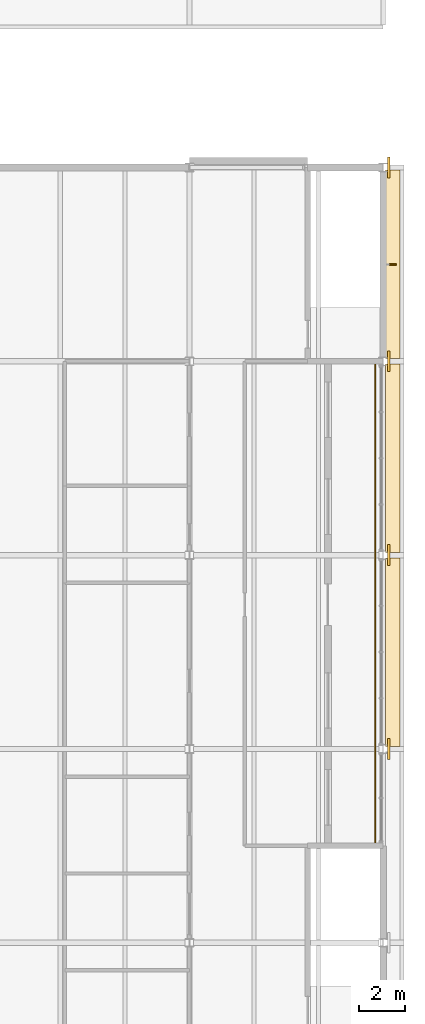
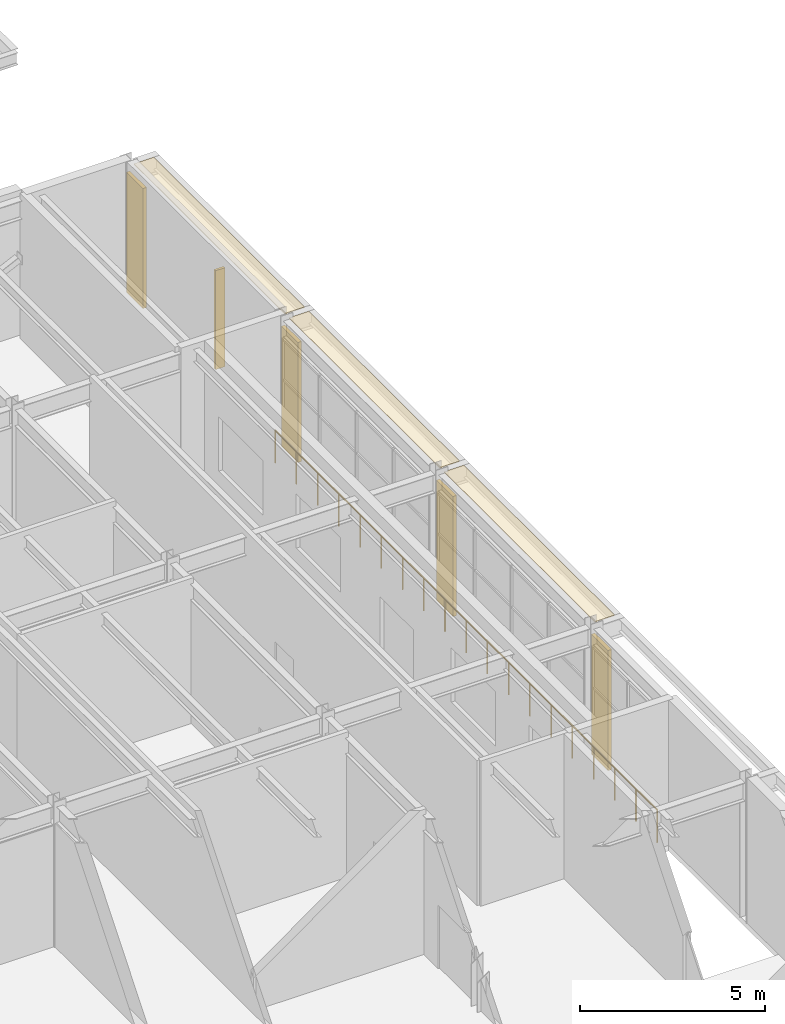
# One storey, part 113 of 116: 7 coverings, 1 railing, 1 shading device.
"""IFC4 building model written with IfcOpenShell, lengths in metres."""

from ifc_helpers import new_model, si_unit, direction, frame, origin, origin_2d, place, context, subcontext, project, spatial, polyline, rectangle, circle, outline, extrude, material, layer, layer_set, type_object, element, save


model = new_model("IFC4")

# Units and contexts
model_context = context("Model", 3, precision=1e-05, world=origin(), true_north=direction((0.0, 1.0)))
body_context = subcontext(model_context, "Body", "Model", "MODEL_VIEW")
ifc_project = project(units=[si_unit("LENGTHUNIT", "METRE"), si_unit("AREAUNIT", "SQUARE_METRE"), si_unit("VOLUMEUNIT", "CUBIC_METRE"), si_unit("PLANEANGLEUNIT", "RADIAN"), si_unit("MASSUNIT", "GRAM", prefix="KILO")], contexts=[model_context])

# Site, building, storey
site_placement = place(None, origin())
site = spatial("IfcSite", under=ifc_project, at=site_placement, CompositionType="ELEMENT")
building_placement = place(site_placement, origin())
building = spatial("IfcBuilding", under=site, at=building_placement, Name="Ljudholm Concert House", CompositionType="ELEMENT")
storey_placement = place(building_placement, frame((0.0, 0.0, 10.199951171875)))
storey = spatial("IfcBuildingStorey", under=building, at=storey_placement, Name="L02", CompositionType="ELEMENT", Elevation=10.199951171875)

# Coverings
ifc_material_1 = material(Name="Aluminium extrusion with timber-grain PVDF finish", Category="aluminium")
ifc_layer_1 = layer(ifc_material_1, 0.030029296875)
ifc_layer_set_1 = layer_set([ifc_layer_1], Name="Aluminium extrusion with timber-grain PVDF finish")
covering_type_1 = type_object("IfcCoveringType", Name="ALUMINIUM EXTRUSION WITH TIMBER-GRAIN PVDF FINISH CEILING 30", PredefinedType="CEILING", material=ifc_layer_set_1)
covering_1_placement = place(storey_placement, frame((0.0, 0.0, 4.590087890625)))
element("IfcCovering", 1, at=covering_1_placement, inside=storey, type_object=covering_type_1, Name="Eave soffit", PredefinedType="CEILING", context=body_context, shape_type="SweptSolid", body=[
    extrude(outline(polyline([(121.70458984375, 71.314453125), (122.322265625, 71.314453125), (122.322265625, 79.4853515625), (121.70458984375, 79.4853515625), (121.70458984375, 71.314453125)])), origin(), (0.0, 0.0, 1.0), 0.030029296875),
])
covering_2_placement = place(storey_placement, frame((0.0, 0.0, 4.590087890625)))
element("IfcCovering", 2, at=covering_2_placement, inside=storey, type_object=covering_type_1, Name="Eave soffit", PredefinedType="CEILING", context=body_context, shape_type="SweptSolid", body=[
    extrude(outline(polyline([(121.70458984375, 79.714599609375), (122.322265625, 79.714599609375), (122.322265625, 87.885498046875), (121.70458984375, 87.885498046875), (121.70458984375, 79.714599609375)])), origin(), (0.0, 0.0, 1.0), 0.030029296875),
])
covering_3_placement = place(storey_placement, frame((0.0, 0.0, 4.590087890625)))
element("IfcCovering", 3, at=covering_3_placement, inside=storey, type_object=covering_type_1, Name="Eave soffit", PredefinedType="CEILING", context=body_context, shape_type="SweptSolid", body=[
    extrude(outline(polyline([(121.70458984375, 88.114501953125), (122.322265625, 88.114501953125), (122.322265625, 96.285400390625), (121.70458984375, 96.285400390625), (121.70458984375, 88.114501953125)])), origin(), (0.0, 0.0, 1.0), 0.030029296875),
])

# Shading device
ifc_material_2 = material(Name="Aluminium extrusion with timber-grain PVDF finish", Category="aluminium")
shading_device_type = type_object("IfcShadingDeviceType", Name="FACADE FIN 300x80", PredefinedType="SHUTTER", material=ifc_material_2)
shading_device_placement = place(storey_placement, frame((122.02001953125, 92.199951171875, 0.25), z_axis=(0.0, 0.0, 1.0), x_axis=(1.0, 0.0, 0.0)))
element("IfcShadingDevice", 4, at=shading_device_placement, inside=storey, type_object=shading_device_type, Name="Facade fin", PredefinedType="SHUTTER", context=body_context, shape_type="SweptSolid", body=[
    extrude(rectangle(XDim=0.300048828125, YDim=0.080078125, at=origin_2d()), origin(), (0.0, 0.0, 1.0), 3.27001953125),
])

# Railing
ifc_material_3 = material(Name="Steel ASTM A36", Category="steel")
railing_type = type_object("IfcRailingType", Name="GUARD 1100 EXTERNAL", PredefinedType="GUARDRAIL", material=ifc_material_3)
railing_placement = place(storey_placement, frame((121.25, 67.14990234375, 0.0)))
element("IfcRailing", 5, at=railing_placement, inside=storey, type_object=railing_type, Name="Loggia guard", PredefinedType="GUARDRAIL", context=body_context, shape_type="SweptSolid", body=[
    extrude(circle(Radius=0.02490234375, at=origin_2d()), frame((0.0, 0.0, 1.0751953125), z_axis=(0.0, 1.0, 0.0), x_axis=(-1.0, 0.0, 0.0)), (0.0, 0.0, 1.0), 20.7001953125),
    extrude(circle(Radius=0.02099609375, at=origin_2d()), origin(), (0.0, 0.0, 1.0), 1.050048828125),
    extrude(circle(Radius=0.02099609375, at=origin_2d()), frame((0.0, 1.14990234375, 0.0)), (0.0, 0.0, 1.0), 1.050048828125),
    extrude(circle(Radius=0.02099609375, at=origin_2d()), frame((0.0, 2.300048828125, 0.0)), (0.0, 0.0, 1.0), 1.050048828125),
    extrude(circle(Radius=0.02099609375, at=origin_2d()), frame((0.0, 3.449951171875, 0.0)), (0.0, 0.0, 1.0), 1.050048828125),
    extrude(circle(Radius=0.02099609375, at=origin_2d()), frame((0.0, 4.60009765625, 0.0)), (0.0, 0.0, 1.0), 1.050048828125),
    extrude(circle(Radius=0.02099609375, at=origin_2d()), frame((0.0, 5.75, 0.0)), (0.0, 0.0, 1.0), 1.050048828125),
    extrude(circle(Radius=0.02099609375, at=origin_2d()), frame((0.0, 6.900146484375, 0.0)), (0.0, 0.0, 1.0), 1.050048828125),
    extrude(circle(Radius=0.02099609375, at=origin_2d()), frame((0.0, 8.050048828125, 0.0)), (0.0, 0.0, 1.0), 1.050048828125),
    extrude(circle(Radius=0.02099609375, at=origin_2d()), frame((0.0, 9.2001953125, 0.0)), (0.0, 0.0, 1.0), 1.050048828125),
    extrude(circle(Radius=0.02099609375, at=origin_2d()), frame((0.0, 10.35009765625, 0.0)), (0.0, 0.0, 1.0), 1.050048828125),
    extrude(circle(Radius=0.02099609375, at=origin_2d()), frame((0.0, 11.5, 0.0)), (0.0, 0.0, 1.0), 1.050048828125),
    extrude(circle(Radius=0.02099609375, at=origin_2d()), frame((0.0, 12.650146484375, 0.0)), (0.0, 0.0, 1.0), 1.050048828125),
    extrude(circle(Radius=0.02099609375, at=origin_2d()), frame((0.0, 13.800048828125, 0.0)), (0.0, 0.0, 1.0), 1.050048828125),
    extrude(circle(Radius=0.02099609375, at=origin_2d()), frame((0.0, 14.9501953125, 0.0)), (0.0, 0.0, 1.0), 1.050048828125),
    extrude(circle(Radius=0.02099609375, at=origin_2d()), frame((0.0, 16.10009765625, 0.0)), (0.0, 0.0, 1.0), 1.050048828125),
    extrude(circle(Radius=0.02099609375, at=origin_2d()), frame((0.0, 17.250244140625, 0.0)), (0.0, 0.0, 1.0), 1.050048828125),
    extrude(circle(Radius=0.02099609375, at=origin_2d()), frame((0.0, 18.400146484375, 0.0)), (0.0, 0.0, 1.0), 1.050048828125),
    extrude(circle(Radius=0.02099609375, at=origin_2d()), frame((0.0, 19.55029296875, 0.0)), (0.0, 0.0, 1.0), 1.050048828125),
    extrude(circle(Radius=0.02099609375, at=origin_2d()), frame((0.0, 20.7001953125, 0.0)), (0.0, 0.0, 1.0), 1.050048828125),
])

# Coverings
ifc_material_4 = material(Name="Precast concrete, limestone aggregate", Category="masonry")
ifc_layer_2 = layer(ifc_material_4, 0.110107421875)
ifc_layer_set_2 = layer_set([ifc_layer_2], Name="Precast concrete, limestone aggregate")
covering_type_2 = type_object("IfcCoveringType", Name="PRECAST CONCRETE, LIMESTONE AGGREGATE CLADDING 110", PredefinedType="CLADDING", material=ifc_layer_set_2)
for number, where, z_axis, x_axis, name in (
    (6, (121.844970703125, 71.199951171875, 0.0), (0.0, 0.0, 1.0), (1.0, 0.0, 0.0), "Pilaster cladding"),
    (7, (121.844970703125, 79.60009765625, 0.0), (0.0, 0.0, 1.0), (1.0, 0.0, 0.0), "Pilaster cladding"),
    (8, (121.844970703125, 88.0, 0.0), (0.0, 0.0, 1.0), (1.0, 0.0, 0.0), "Pilaster cladding"),
    (9, (121.844970703125, 96.39990234375, 0.0), (0.0, 0.0, 1.0), (1.0, 0.0, 0.0), "Pilaster cladding"),
):
    element("IfcCovering", number, at=place(storey_placement, frame(where, z_axis=z_axis, x_axis=x_axis)), inside=storey, type_object=covering_type_2, Name=name, PredefinedType="CLADDING", context=body_context, shape_type="SweptSolid", body=[
        extrude(rectangle(XDim=0.110107421875, YDim=0.89990234375, at=origin_2d()), origin(), (0.0, 0.0, 1.0), 3.969970703125),
    ])

save(model, "model.ifc")
